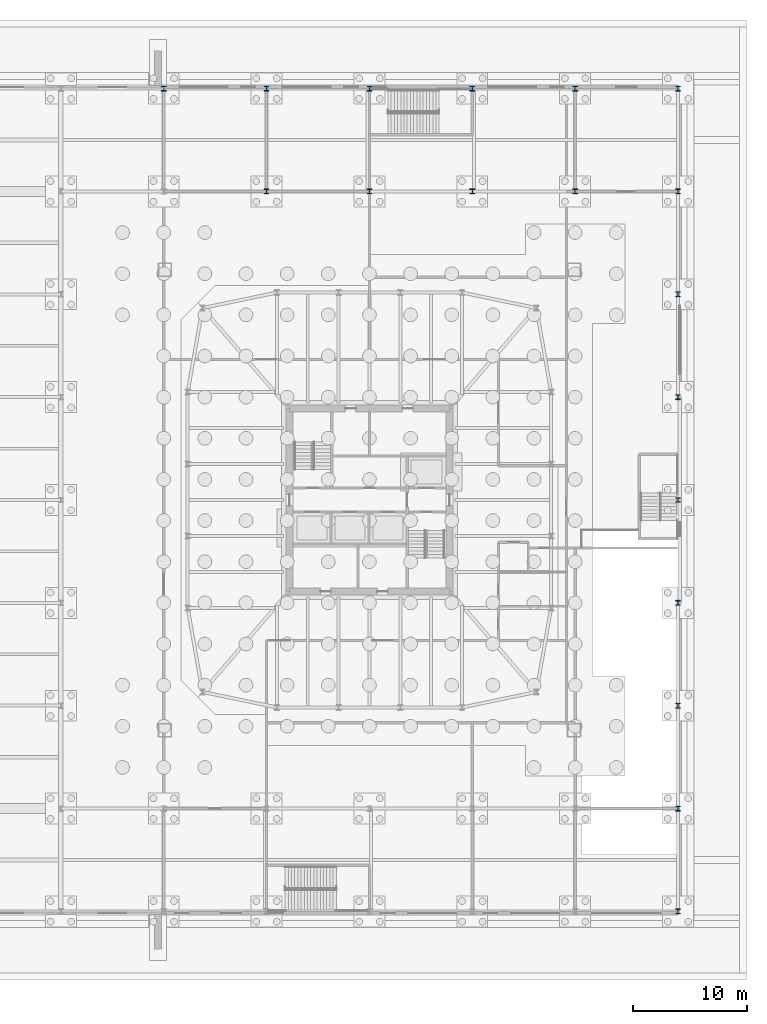
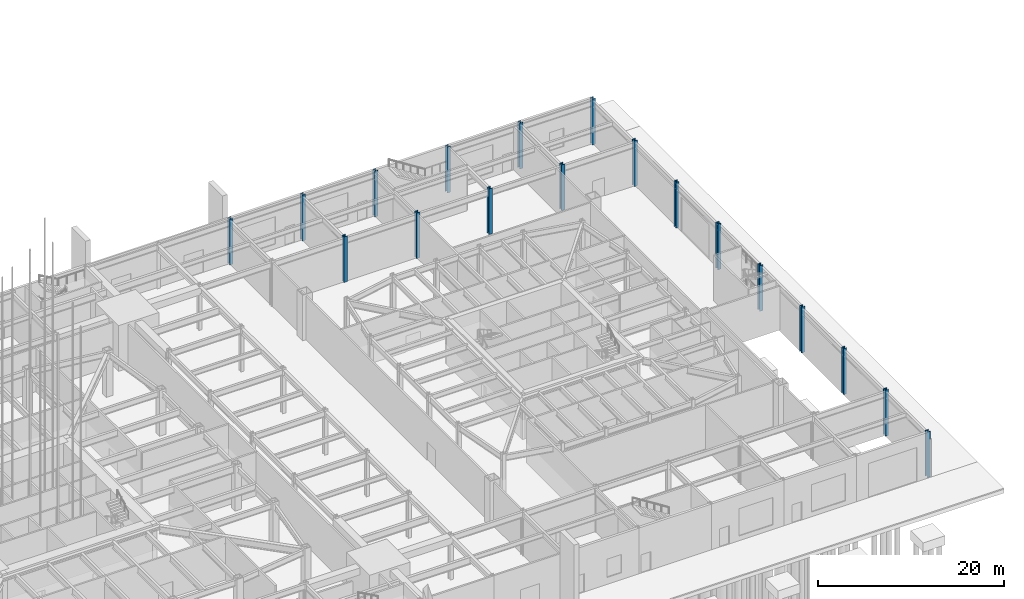
# One storey, part 8 of 37: 18 columns.
"""IFC4 building model written with IfcOpenShell, lengths in metres."""

from ifc_helpers import new_model, si_unit, direction, frame, origin, origin_2d, place, context, subcontext, project, spatial, i_section, extrude, material, material_profile, profile_set, type_object, element, save


model = new_model("IFC4")

# Units and contexts
model_context = context("Model", 3, precision=1e-05, world=origin(), true_north=direction((0.0, 1.0)))
body_context = subcontext(model_context, "Body", "Model", "MODEL_VIEW")
ifc_project = project(units=[si_unit("LENGTHUNIT", "METRE"), si_unit("AREAUNIT", "SQUARE_METRE"), si_unit("VOLUMEUNIT", "CUBIC_METRE"), si_unit("PLANEANGLEUNIT", "RADIAN"), si_unit("MASSUNIT", "GRAM", prefix="KILO")], contexts=[model_context])

# Site, building, storey
site_placement = place(None, origin())
site = spatial("IfcSite", under=ifc_project, at=site_placement, CompositionType="ELEMENT")
building_placement = place(site_placement, origin())
building = spatial("IfcBuilding", under=site, at=building_placement, Name="Iwan Alto Co-Living Towers", CompositionType="ELEMENT")
storey_placement = place(building_placement, origin())
storey = spatial("IfcBuildingStorey", under=building, at=storey_placement, Name="L00", CompositionType="ELEMENT", Elevation=0.0)

# Columns
ifc_material = material(Name="Steel ASTM A992 Gr 50", Category="steel")
ifc_material_profile = material_profile(ifc_material, i_section(OverallWidth=0.411376953125, OverallDepth=0.434326171875, WebThickness=0.035888671875, FlangeThickness=0.057373046875, at=origin_2d()), Name="W14X311")
ifc_profile_set = profile_set([ifc_material_profile], Name="Steel ASTM A992 Gr 50")
column_type = type_object("IfcColumnType", Name="PODIUM COLUMN W14X311", PredefinedType="COLUMN", material=ifc_profile_set)
for number, where, z_axis, x_axis, name in (
    (1, (45.0, 36.0, 0.0), (0.0, 0.0, 1.0), (1.0, 0.0, 0.0), "Podium column 10/I L00"),
    (2, (54.0, 27.0, 0.0), (0.0, 0.0, 1.0), (1.0, 0.0, 0.0), "Podium column 11/H L00"),
    (3, (54.0, 36.0, 0.0), (0.0, 0.0, 1.0), (1.0, 0.0, 0.0), "Podium column 11/I L00"),
    (4, (63.0, 27.0, 0.0), (0.0, 0.0, 1.0), (1.0, 0.0, 0.0), "Podium column 12/H L00"),
    (5, (63.0, 36.0, 0.0), (0.0, 0.0, 1.0), (1.0, 0.0, 0.0), "Podium column 12/I L00"),
    (6, (72.0, 27.0, 0.0), (0.0, 0.0, 1.0), (1.0, 0.0, 0.0), "Podium column 13/H L00"),
    (7, (72.0, 36.0, 0.0), (0.0, 0.0, 1.0), (1.0, 0.0, 0.0), "Podium column 13/I L00"),
    (8, (81.0, 27.0, 0.0), (0.0, 0.0, 1.0), (1.0, 0.0, 0.0), "Podium column 14/H L00"),
    (9, (81.0, 36.0, 0.0), (0.0, 0.0, 1.0), (1.0, 0.0, 0.0), "Podium column 14/I L00"),
    (10, (90.0, -36.0, 0.0), (0.0, 0.0, 1.0), (1.0, 0.0, 0.0), "Podium column 15/A L00"),
    (11, (90.0, -27.0, 0.0), (0.0, 0.0, 1.0), (1.0, 0.0, 0.0), "Podium column 15/B L00"),
    (12, (90.0, -18.0, 0.0), (0.0, 0.0, 1.0), (1.0, 0.0, 0.0), "Podium column 15/C L00"),
    (13, (90.0, -9.0, 0.0), (0.0, 0.0, 1.0), (1.0, 0.0, 0.0), "Podium column 15/D L00"),
    (14, (90.0, 0.0, 0.0), (0.0, 0.0, 1.0), (1.0, 0.0, 0.0), "Podium column 15/E L00"),
    (15, (90.0, 9.0, 0.0), (0.0, 0.0, 1.0), (1.0, 0.0, 0.0), "Podium column 15/F L00"),
    (16, (90.0, 18.0, 0.0), (0.0, 0.0, 1.0), (1.0, 0.0, 0.0), "Podium column 15/G L00"),
    (17, (90.0, 27.0, 0.0), (0.0, 0.0, 1.0), (1.0, 0.0, 0.0), "Podium column 15/H L00"),
    (18, (90.0, 36.0, 0.0), (0.0, 0.0, 1.0), (1.0, 0.0, 0.0), "Podium column 15/I L00"),
):
    element("IfcColumn", number, at=place(storey_placement, frame(where, z_axis=z_axis, x_axis=x_axis)), inside=storey, type_object=column_type, Name=name, PredefinedType="COLUMN", context=body_context, shape_type="SweptSolid", body=[
        extrude(i_section(OverallWidth=0.411376953125, OverallDepth=0.434326171875, WebThickness=0.035888671875, FlangeThickness=0.057373046875, at=origin_2d()), origin(), (0.0, 0.0, 1.0), 6.0),
    ])

save(model, "model.ifc")
